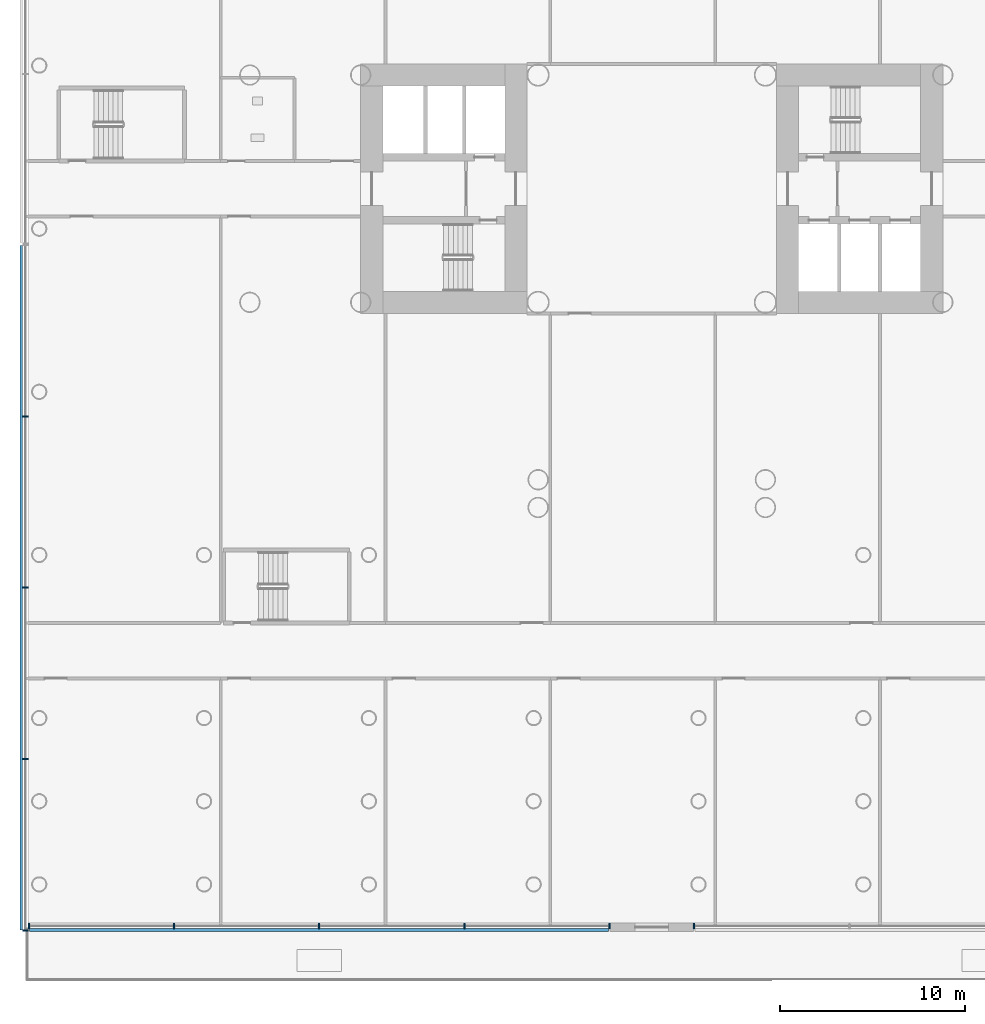
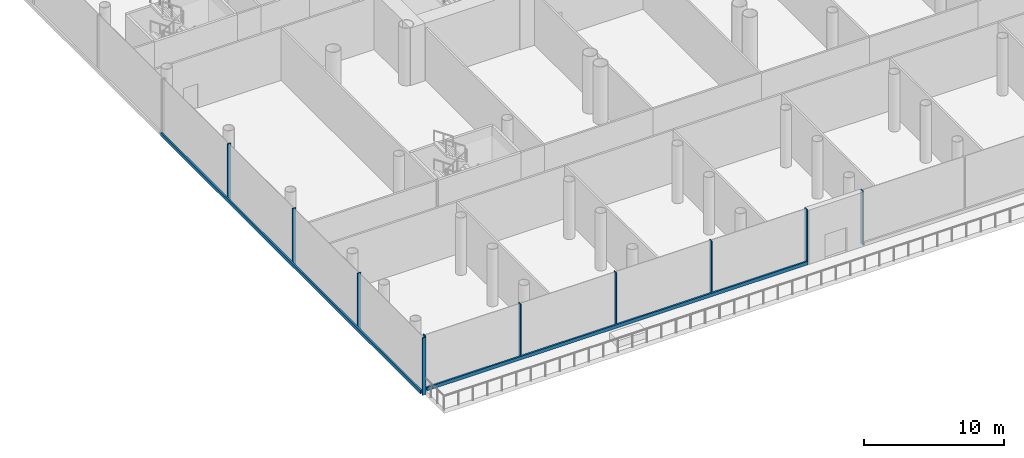
# One storey, part 5 of 59: 12 members, 3 elements without a shape of their own.
"""IFC4 building model written with IfcOpenShell, lengths in metres."""

from ifc_helpers import new_model, si_unit, direction, frame, origin, origin_2d, place, context, subcontext, project, spatial, rectangle, extrude, material, layer, layer_set, material_profile, profile_set, type_object, element, aggregate, save


model = new_model("IFC4")

# Units and contexts
model_context = context("Model", 3, precision=1e-05, world=origin(), true_north=direction((0.0, 1.0)))
body_context = subcontext(model_context, "Body", "Model", "MODEL_VIEW")
ifc_project = project(units=[si_unit("LENGTHUNIT", "METRE"), si_unit("AREAUNIT", "SQUARE_METRE"), si_unit("VOLUMEUNIT", "CUBIC_METRE"), si_unit("PLANEANGLEUNIT", "RADIAN"), si_unit("MASSUNIT", "GRAM", prefix="KILO")], contexts=[model_context])

# Site, building, storey
site_placement = place(None, origin())
site = spatial("IfcSite", under=ifc_project, at=site_placement, CompositionType="ELEMENT")
building_placement = place(site_placement, origin())
building = spatial("IfcBuilding", under=site, at=building_placement, Name="Ipe Terrace Towers", CompositionType="ELEMENT")
storey_placement = place(building_placement, frame((0.0, 0.0, 6.0)))
storey = spatial("IfcBuildingStorey", under=building, at=storey_placement, Name="L01", CompositionType="ELEMENT", Elevation=6.0)

# Curtain wall, members
ifc_material_1 = material(Name="Aluminium alloy 6063-T6", Category="aluminium")
ifc_layer = layer(ifc_material_1, 0.43994140625)
ifc_layer_set = layer_set([ifc_layer], Name="PODIUM GLAZING CURTAIN WALL")
curtain_wall_type = type_object("IfcCurtainWallType", Name="PODIUM GLAZING CURTAIN WALL", PredefinedType="NOTDEFINED", material=ifc_layer_set)
curtain_wall_1_placement = place(storey_placement, origin())
curtain_wall_1 = element("IfcCurtainWall", 1, at=curtain_wall_1_placement, inside=storey, type_object=curtain_wall_type, Name="POD-CW-L01-02b curtain wall", PredefinedType="NOTDEFINED")
ifc_material_2 = material(Name="Aluminium alloy 6063-T6", Category="aluminium")
ifc_material_profile_1 = material_profile(ifc_material_2, rectangle(XDim=0.300048828125, YDim=0.080078125, at=origin_2d()), Name="PODIUM GLAZING MULLION 300 x 80")
ifc_profile_set_1 = profile_set([ifc_material_profile_1], Name="Aluminium alloy 6063-T6")
member_type_1 = type_object("IfcMemberType", Name="PODIUM GLAZING MULLION 300 x 80", PredefinedType="MULLION", material=ifc_profile_set_1)
member_1_placement = place(storey_placement, frame((-69.89990234375, -12.3173828125, -0.300048828125), z_axis=(0.0, 0.0, 1.0), x_axis=(-1.0, 0.0, 0.0)))
member_1 = element("IfcMember", 2, at=member_1_placement, type_object=member_type_1, Name="POD-CW-L01-02b mullion 2", PredefinedType="MULLION", context=body_context, shape_type="SweptSolid", body=[
    extrude(rectangle(XDim=0.300048828125, YDim=0.080078125, at=origin_2d()), origin(), (0.0, 0.0, 1.0), 5.0),
])
member_2_placement = place(storey_placement, frame((-69.89990234375, -21.594970703125, -0.300048828125), z_axis=(0.0, 0.0, 1.0), x_axis=(-1.0, 0.0, 0.0)))
member_2 = element("IfcMember", 3, at=member_2_placement, type_object=member_type_1, Name="POD-CW-L01-02b mullion 3", PredefinedType="MULLION", context=body_context, shape_type="SweptSolid", body=[
    extrude(rectangle(XDim=0.300048828125, YDim=0.080078125, at=origin_2d()), origin(), (0.0, 0.0, 1.0), 5.0),
])
member_3_placement = place(storey_placement, frame((-69.89990234375, -30.87255859375, -0.300048828125), z_axis=(0.0, 0.0, 1.0), x_axis=(-1.0, 0.0, 0.0)))
member_3 = element("IfcMember", 4, at=member_3_placement, type_object=member_type_1, Name="POD-CW-L01-02b mullion 4", PredefinedType="MULLION", context=body_context, shape_type="SweptSolid", body=[
    extrude(rectangle(XDim=0.300048828125, YDim=0.080078125, at=origin_2d()), origin(), (0.0, 0.0, 1.0), 5.0),
])
member_4_placement = place(storey_placement, frame((-69.89990234375, -40.14990234375, -0.300048828125), z_axis=(0.0, 0.0, 1.0), x_axis=(-1.0, 0.0, 0.0)))
member_4 = element("IfcMember", 5, at=member_4_placement, type_object=member_type_1, Name="POD-CW-L01-02b mullion 5", PredefinedType="MULLION", context=body_context, shape_type="SweptSolid", body=[
    extrude(rectangle(XDim=0.300048828125, YDim=0.080078125, at=origin_2d()), origin(), (0.0, 0.0, 1.0), 5.0),
])

curtain_wall_2_placement = place(storey_placement, origin())
curtain_wall_2 = element("IfcCurtainWall", 6, at=curtain_wall_2_placement, inside=storey, type_object=curtain_wall_type, Name="POD-CW-L01-03a curtain wall", PredefinedType="NOTDEFINED")
member_5_placement = place(storey_placement, frame((-69.7099609375, -39.89990234375, -0.02001953125), z_axis=(0.0, 0.0, 1.0), x_axis=(0.0, -1.0, 0.0)))
member_5 = element("IfcMember", 7, at=member_5_placement, type_object=member_type_1, Name="POD-CW-L01-03a mullion 1", PredefinedType="MULLION", context=body_context, shape_type="SweptSolid", body=[
    extrude(rectangle(XDim=0.300048828125, YDim=0.080078125, at=origin_2d()), origin(), (0.0, 0.0, 1.0), 4.719970703125),
])
member_6_placement = place(storey_placement, frame((-61.85498046875, -39.89990234375, -0.02001953125), z_axis=(0.0, 0.0, 1.0), x_axis=(0.0, -1.0, 0.0)))
member_6 = element("IfcMember", 8, at=member_6_placement, type_object=member_type_1, Name="POD-CW-L01-03a mullion 2", PredefinedType="MULLION", context=body_context, shape_type="SweptSolid", body=[
    extrude(rectangle(XDim=0.300048828125, YDim=0.080078125, at=origin_2d()), origin(), (0.0, 0.0, 1.0), 4.719970703125),
])
member_7_placement = place(storey_placement, frame((-54.0, -39.89990234375, -0.02001953125), z_axis=(0.0, 0.0, 1.0), x_axis=(0.0, -1.0, 0.0)))
member_7 = element("IfcMember", 9, at=member_7_placement, type_object=member_type_1, Name="POD-CW-L01-03a mullion 3", PredefinedType="MULLION", context=body_context, shape_type="SweptSolid", body=[
    extrude(rectangle(XDim=0.300048828125, YDim=0.080078125, at=origin_2d()), origin(), (0.0, 0.0, 1.0), 4.719970703125),
])
member_8_placement = place(storey_placement, frame((-46.14501953125, -39.89990234375, -0.02001953125), z_axis=(0.0, 0.0, 1.0), x_axis=(0.0, -1.0, 0.0)))
member_8 = element("IfcMember", 10, at=member_8_placement, type_object=member_type_1, Name="POD-CW-L01-03a mullion 4", PredefinedType="MULLION", context=body_context, shape_type="SweptSolid", body=[
    extrude(rectangle(XDim=0.300048828125, YDim=0.080078125, at=origin_2d()), origin(), (0.0, 0.0, 1.0), 4.719970703125),
])
member_9_placement = place(storey_placement, frame((-38.2900390625, -39.89990234375, -0.02001953125), z_axis=(0.0, 0.0, 1.0), x_axis=(0.0, -1.0, 0.0)))
member_9 = element("IfcMember", 11, at=member_9_placement, type_object=member_type_1, Name="POD-CW-L01-03a mullion 5", PredefinedType="MULLION", context=body_context, shape_type="SweptSolid", body=[
    extrude(rectangle(XDim=0.300048828125, YDim=0.080078125, at=origin_2d()), origin(), (0.0, 0.0, 1.0), 4.719970703125),
])

# Curtain wall, member
curtain_wall_3_placement = place(storey_placement, origin())
curtain_wall_3 = element("IfcCurtainWall", 12, at=curtain_wall_3_placement, inside=storey, type_object=curtain_wall_type, Name="POD-CW-L01-03c curtain wall", PredefinedType="NOTDEFINED")
member_10_placement = place(storey_placement, frame((-33.7099609375, -39.89990234375, -0.02001953125), z_axis=(0.0, 0.0, 1.0), x_axis=(0.0, -1.0, 0.0)))
member_10 = element("IfcMember", 13, at=member_10_placement, type_object=member_type_1, Name="POD-CW-L01-03c mullion 1", PredefinedType="MULLION", context=body_context, shape_type="SweptSolid", body=[
    extrude(rectangle(XDim=0.300048828125, YDim=0.080078125, at=origin_2d()), origin(), (0.0, 0.0, 1.0), 4.719970703125),
])
aggregate(curtain_wall_3, [member_10])

# Member
ifc_material_3 = material(Name="Aluminium alloy 6063-T6", Category="aluminium")
ifc_material_profile_2 = material_profile(ifc_material_3, rectangle(XDim=0.139892578125, YDim=0.300048828125, at=origin_2d()), Name="PODIUM GLAZING TRANSOM 140 x 300")
ifc_profile_set_2 = profile_set([ifc_material_profile_2], Name="Aluminium alloy 6063-T6")
member_type_2 = type_object("IfcMemberType", Name="PODIUM GLAZING TRANSOM 140 x 300", PredefinedType="USERDEFINED", material=ifc_profile_set_2)
member_11_placement = place(storey_placement, frame((-70.1201171875, -3.080078125, 0.0), z_axis=(0.0, -1.0, 0.0), x_axis=(-1.0, 0.0, 0.0)))
member_11 = element("IfcMember", 14, at=member_11_placement, type_object=member_type_2, Name="POD-CW-L01-02b transom", ObjectType="TRANSOM", PredefinedType="USERDEFINED", context=body_context, shape_type="SweptSolid", body=[
    extrude(rectangle(XDim=0.139892578125, YDim=0.300048828125, at=origin_2d()), origin(), (0.0, 0.0, 1.0), 37.030029296875),
])

aggregate(curtain_wall_1, [member_1, member_2, member_3, member_4, member_11])

member_12_placement = place(storey_placement, frame((-69.669921875, -40.1201171875, 0.1298828125), z_axis=(1.0, 0.0, 0.0), x_axis=(0.0, -1.0, 0.0)))
member_12 = element("IfcMember", 15, at=member_12_placement, type_object=member_type_2, Name="POD-CW-L01-03a transom", ObjectType="TRANSOM", PredefinedType="USERDEFINED", context=body_context, shape_type="SweptSolid", body=[
    extrude(rectangle(XDim=0.139892578125, YDim=0.300048828125, at=origin_2d()), origin(), (0.0, 0.0, 1.0), 31.33984375),
])

aggregate(curtain_wall_2, [member_5, member_6, member_7, member_8, member_9, member_12])

save(model, "model.ifc")
